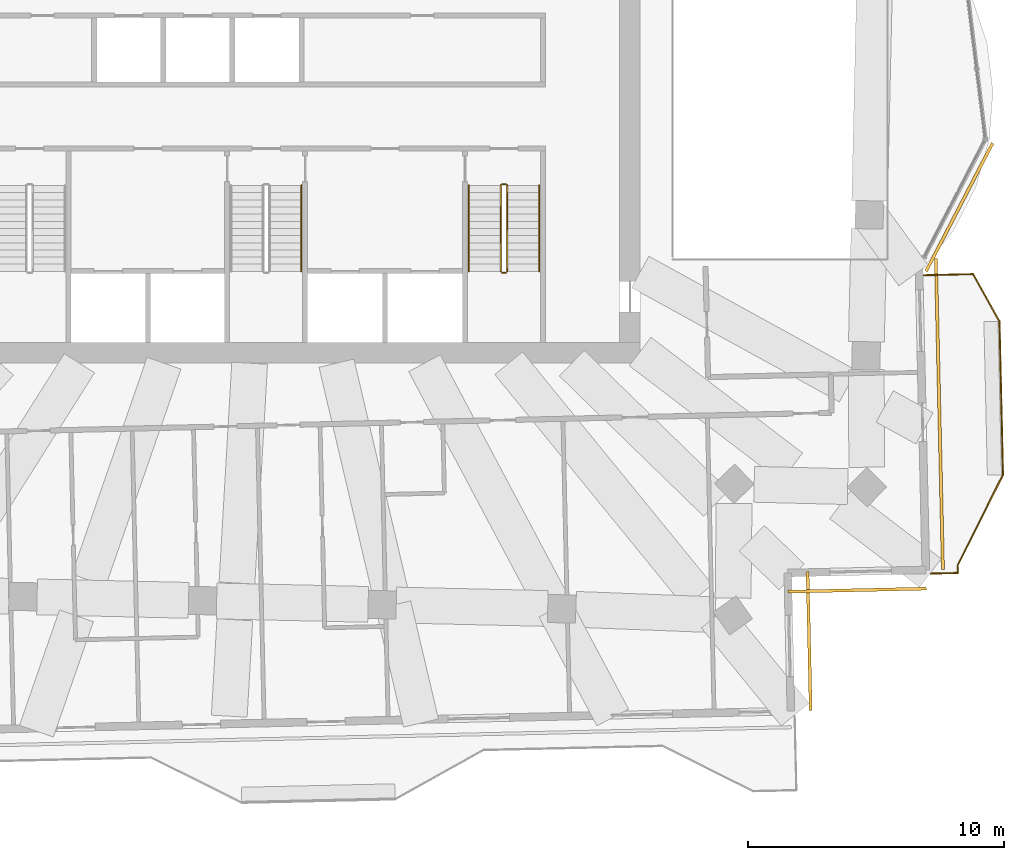
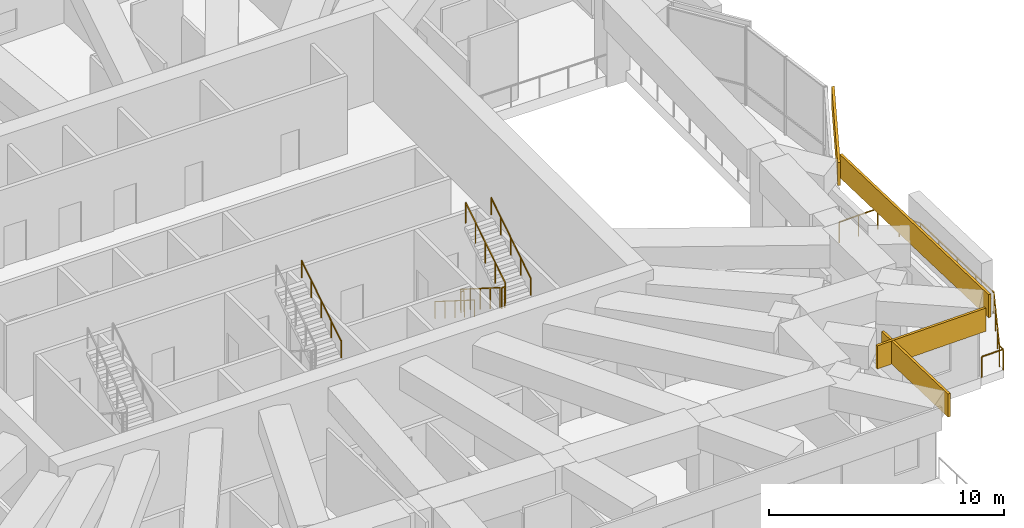
# One storey, part 17 of 19: 8 railings, 4 coverings.
"""IFC4 building model written with IfcOpenShell, lengths in metres."""

from ifc_helpers import new_model, si_unit, direction, frame, frame_2d, origin, origin_2d, place, context, subcontext, project, spatial, rectangle, circle, extrude, material, layer, layer_set, type_object, element, save


model = new_model("IFC4")

# Units and contexts
model_context = context("Model", 3, precision=1e-05, world=origin(), true_north=direction((0.0, 1.0)))
body_context = subcontext(model_context, "Body", "Model", "MODEL_VIEW")
ifc_project = project(units=[si_unit("LENGTHUNIT", "METRE"), si_unit("AREAUNIT", "SQUARE_METRE"), si_unit("VOLUMEUNIT", "CUBIC_METRE"), si_unit("PLANEANGLEUNIT", "RADIAN"), si_unit("MASSUNIT", "GRAM", prefix="KILO")], contexts=[model_context])

# Site, building, storey
site_placement = place(None, origin())
site = spatial("IfcSite", under=ifc_project, at=site_placement, CompositionType="ELEMENT")
building_placement = place(site_placement, origin())
building = spatial("IfcBuilding", under=site, at=building_placement, Name="Mangrove Gate Tower", CompositionType="ELEMENT")
storey_placement = place(building_placement, frame((0.0, 0.0, 226.5)))
storey = spatial("IfcBuildingStorey", under=building, at=storey_placement, Name="L57", CompositionType="ELEMENT", Elevation=226.5)

# Railings
ifc_material_1 = material(Name="Stainless steel grade 316 with laminated glass infill", Category="steel")
railing_type_1 = type_object("IfcRailingType", Name="Balcony guard 1100", PredefinedType="GUARDRAIL", material=ifc_material_1)
railing_1_placement = place(storey_placement, frame((25.964111328125, -19.8291015625, 0.0)))
element("IfcRailing", 1, at=railing_1_placement, inside=storey, type_object=railing_type_1, Name="GUARD L57 E1", PredefinedType="GUARDRAIL", context=body_context, shape_type="SweptSolid", body=[
    extrude(rectangle(XDim=0.048095703125, YDim=0.048095703125, at=origin_2d()), frame((0.0, 0.0, 1.076171875), z_axis=(0.999739569486, 0.022820894023, 0.0), x_axis=(-0.022820894023, 0.999739569486, 0.0)), (0.0, 0.0, 1.0), 1.05908203125),
    extrude(rectangle(XDim=0.048095703125, YDim=0.048095703125, at=origin_2d()), frame((1.058837890625, 0.024169921875, 1.076171875), z_axis=(-0.022776839769, 0.999740574134, 0.0), x_axis=(-0.999740574134, -0.022776839769, 0.0)), (0.0, 0.0, 1.0), 0.300048828125),
    extrude(rectangle(XDim=0.048095703125, YDim=0.048095703125, at=origin_2d()), frame((1.052001953125, 0.32421875, 1.076171875), z_axis=(0.447336926491, 0.894365514875, 0.0), x_axis=(-0.894365514875, 0.447336926491, 0.0)), (0.0, 0.0, 1.0), 3.958984375),
    extrude(rectangle(XDim=0.048095703125, YDim=0.048095703125, at=origin_2d()), frame((2.822998046875, 3.864990234375, 1.076171875), z_axis=(-0.022869302197, 0.999738463308, 0.0), x_axis=(-0.999738463308, -0.022869302197, 0.0)), (0.0, 0.0, 1.0), 5.99951171875),
    extrude(rectangle(XDim=0.048095703125, YDim=0.048095703125, at=origin_2d()), frame((2.685791015625, 9.863037109375, 1.076171875), z_axis=(-0.487098711433, 0.873346921515, 0.0), x_axis=(-0.873346921515, -0.487098711433, 0.0)), (0.0, 0.0, 1.0), 2.12060546875),
    extrude(rectangle(XDim=0.048095703125, YDim=0.048095703125, at=origin_2d()), frame((1.65283203125, 11.715087890625, 1.076171875), z_axis=(-0.999737613728, -0.02290641172, 0.0), x_axis=(0.02290641172, -0.999737613728, 0.0)), (0.0, 0.0, 1.0), 1.91845703125),
    extrude(rectangle(XDim=0.0419921875, YDim=0.0419921875, at=origin_2d()), origin(), (0.0, 0.0, 1.0), 1.052001953125),
    extrude(rectangle(XDim=0.0419921875, YDim=0.0419921875, at=origin_2d()), frame((1.058837890625, 0.024169921875, 0.0)), (0.0, 0.0, 1.0), 1.052001953125),
    extrude(rectangle(XDim=0.0419921875, YDim=0.0419921875, at=origin_2d()), frame((1.052001953125, 0.32421875, 0.0)), (0.0, 0.0, 1.0), 1.052001953125),
    extrude(rectangle(XDim=0.0419921875, YDim=0.0419921875, at=origin_2d()), frame((1.642333984375, 1.50439453125, 0.0)), (0.0, 0.0, 1.0), 1.052001953125),
    extrude(rectangle(XDim=0.0419921875, YDim=0.0419921875, at=origin_2d()), frame((2.232666015625, 2.684814453125, 0.0)), (0.0, 0.0, 1.0), 1.052001953125),
    extrude(rectangle(XDim=0.0419921875, YDim=0.0419921875, at=origin_2d()), frame((2.822998046875, 3.864990234375, 0.0)), (0.0, 0.0, 1.0), 1.052001953125),
    extrude(rectangle(XDim=0.0419921875, YDim=0.0419921875, at=origin_2d()), frame((2.78857421875, 5.364501953125, 0.0)), (0.0, 0.0, 1.0), 1.052001953125),
    extrude(rectangle(XDim=0.0419921875, YDim=0.0419921875, at=origin_2d()), frame((2.75439453125, 6.864013671875, 0.0)), (0.0, 0.0, 1.0), 1.052001953125),
    extrude(rectangle(XDim=0.0419921875, YDim=0.0419921875, at=origin_2d()), frame((2.72021484375, 8.363525390625, 0.0)), (0.0, 0.0, 1.0), 1.052001953125),
    extrude(rectangle(XDim=0.0419921875, YDim=0.0419921875, at=origin_2d()), frame((2.685791015625, 9.863037109375, 0.0)), (0.0, 0.0, 1.0), 1.052001953125),
    extrude(rectangle(XDim=0.0419921875, YDim=0.0419921875, at=origin_2d()), frame((2.16943359375, 10.7890625, 0.0)), (0.0, 0.0, 1.0), 1.052001953125),
    extrude(rectangle(XDim=0.0419921875, YDim=0.0419921875, at=origin_2d()), frame((1.65283203125, 11.715087890625, 0.0)), (0.0, 0.0, 1.0), 1.052001953125),
    extrude(rectangle(XDim=0.0419921875, YDim=0.0419921875, at=origin_2d()), frame((0.69384765625, 11.693115234375, 0.0)), (0.0, 0.0, 1.0), 1.052001953125),
    extrude(rectangle(XDim=0.0419921875, YDim=0.0419921875, at=origin_2d()), frame((-0.26513671875, 11.671142578125, 0.0)), (0.0, 0.0, 1.0), 1.052001953125),
])
ifc_material_2 = material(Name="Stainless steel 316", Category="steel")
railing_type_2 = type_object("IfcRailingType", Name="Core stair guard 1100", PredefinedType="GUARDRAIL", material=ifc_material_2)
railing_2_placement = place(storey_placement, frame((9.14990234375, -4.64990234375, 0.177001953125)))
element("IfcRailing", 2, at=railing_2_placement, inside=storey, type_object=railing_type_2, Name="L57 ST3 stair guard 1", PredefinedType="GUARDRAIL", context=body_context, shape_type="SweptSolid", body=[
    extrude(rectangle(XDim=0.048095703125, YDim=0.048095703125, at=origin_2d()), frame((0.0, 0.0, 1.076171875), z_axis=(0.0, -0.845389635667, 0.534150132366), x_axis=(1.0, 0.0, 0.0)), (0.0, 0.0, 1.0), 3.974609375),
    extrude(rectangle(XDim=0.0419921875, YDim=0.0419921875, at=origin_2d()), origin(), (0.0, 0.0, 1.0), 1.052001953125),
    extrude(rectangle(XDim=0.0419921875, YDim=0.0419921875, at=origin_2d()), frame((0.0, -0.840087890625, 0.53076171875)), (0.0, 0.0, 1.0), 1.052001953125),
    extrude(rectangle(XDim=0.0419921875, YDim=0.0419921875, at=origin_2d()), frame((0.0, -1.68017578125, 1.0615234375)), (0.0, 0.0, 1.0), 1.052001953125),
    extrude(rectangle(XDim=0.0419921875, YDim=0.0419921875, at=origin_2d()), frame((0.0, -2.52001953125, 1.59228515625)), (0.0, 0.0, 1.0), 1.052001953125),
    extrude(rectangle(XDim=0.0419921875, YDim=0.0419921875, at=origin_2d()), frame((0.0, -3.360107421875, 2.123046875)), (0.0, 0.0, 1.0), 1.052001953125),
])
railing_3_placement = place(storey_placement, frame((9.199951171875, -8.06005859375, 2.300048828125)))
element("IfcRailing", 3, at=railing_3_placement, inside=storey, type_object=railing_type_2, Name="L57 ST3 stair guard 2", PredefinedType="GUARDRAIL", context=body_context, shape_type="SweptSolid", body=[
    extrude(rectangle(XDim=0.048095703125, YDim=0.048095703125, at=origin_2d()), frame((0.0, 0.0, 1.076171875), z_axis=(1.0, 0.0, 0.0), x_axis=(0.0, 1.0, 0.0)), (0.0, 0.0, 1.0), 0.150146484375),
    extrude(rectangle(XDim=0.0419921875, YDim=0.0419921875, at=origin_2d()), origin(), (0.0, 0.0, 1.0), 1.052001953125),
    extrude(rectangle(XDim=0.0419921875, YDim=0.0419921875, at=origin_2d()), frame((0.150146484375, 0.0, 0.0)), (0.0, 0.0, 1.0), 1.052001953125),
])
railing_4_placement = place(storey_placement, frame((9.39990234375, -8.010009765625, 2.476806640625)))
element("IfcRailing", 4, at=railing_4_placement, inside=storey, type_object=railing_type_2, Name="L57 ST3 stair guard 3", PredefinedType="GUARDRAIL", context=body_context, shape_type="SweptSolid", body=[
    extrude(rectangle(XDim=0.048095703125, YDim=0.048095703125, at=origin_2d()), frame((0.0, 0.0, 1.076171875), z_axis=(0.0, 0.845361898145, 0.534194029511), x_axis=(-1.0, 0.0, 0.0)), (0.0, 0.0, 1.0), 3.974853515625),
    extrude(rectangle(XDim=0.0419921875, YDim=0.0419921875, at=origin_2d()), origin(), (0.0, 0.0, 1.0), 1.052001953125),
    extrude(rectangle(XDim=0.0419921875, YDim=0.0419921875, at=origin_2d()), frame((0.0, 0.840087890625, 0.53076171875)), (0.0, 0.0, 1.0), 1.052001953125),
    extrude(rectangle(XDim=0.0419921875, YDim=0.0419921875, at=origin_2d()), frame((0.0, 1.68017578125, 1.0615234375)), (0.0, 0.0, 1.0), 1.052001953125),
    extrude(rectangle(XDim=0.0419921875, YDim=0.0419921875, at=origin_2d()), frame((0.0, 2.52001953125, 1.592529296875)), (0.0, 0.0, 1.0), 1.052001953125),
    extrude(rectangle(XDim=0.0419921875, YDim=0.0419921875, at=origin_2d()), frame((0.0, 3.360107421875, 2.123291015625)), (0.0, 0.0, 1.0), 1.052001953125),
])
railing_5_placement = place(storey_placement, frame((9.199951171875, -4.60009765625, 0.0)))
element("IfcRailing", 5, at=railing_5_placement, inside=storey, type_object=railing_type_2, Name="L57 ST3 stair guard 4", PredefinedType="GUARDRAIL", context=body_context, shape_type="SweptSolid", body=[
    extrude(rectangle(XDim=0.048095703125, YDim=0.048095703125, at=origin_2d()), frame((0.0, 0.0, 1.076171875), z_axis=(1.0, 0.0, 0.0), x_axis=(0.0, 1.0, 0.0)), (0.0, 0.0, 1.0), 0.150146484375),
    extrude(rectangle(XDim=0.0419921875, YDim=0.0419921875, at=origin_2d()), origin(), (0.0, 0.0, 1.0), 1.052001953125),
    extrude(rectangle(XDim=0.0419921875, YDim=0.0419921875, at=origin_2d()), frame((0.150146484375, 0.0, 0.0)), (0.0, 0.0, 1.0), 1.052001953125),
])
ifc_material_3 = material(Name="Stainless steel 316", Category="steel")
railing_type_3 = type_object("IfcRailingType", Name="Core stair handrail 900", PredefinedType="HANDRAIL", material=ifc_material_3)
railing_6_placement = place(storey_placement, frame((1.35009765625, -8.010009765625, 2.476806640625)))
element("IfcRailing", 6, at=railing_6_placement, inside=storey, type_object=railing_type_3, Name="L57 ST2 stair handrail 2", PredefinedType="HANDRAIL", context=body_context, shape_type="SweptSolid", body=[
    extrude(circle(Radius=0.02392578125, at=origin_2d()), frame((0.0, 0.0, 0.8759765625), z_axis=(0.0, 0.845361898145, 0.534194029511), x_axis=(-1.0, 0.0, 0.0)), (0.0, 0.0, 1.0), 3.974853515625),
    extrude(circle(Radius=0.02099609375, at=origin_2d()), origin(), (0.0, 0.0, 1.0), 0.851806640625),
    extrude(circle(Radius=0.02099609375, at=origin_2d()), frame((0.0, 0.840087890625, 0.53076171875)), (0.0, 0.0, 1.0), 0.851806640625),
    extrude(circle(Radius=0.02099609375, at=origin_2d()), frame((0.0, 1.68017578125, 1.0615234375)), (0.0, 0.0, 1.0), 0.851806640625),
    extrude(circle(Radius=0.02099609375, at=origin_2d()), frame((0.0, 2.52001953125, 1.592529296875)), (0.0, 0.0, 1.0), 0.851806640625),
    extrude(circle(Radius=0.02099609375, at=origin_2d()), frame((0.0, 3.360107421875, 2.123291015625)), (0.0, 0.0, 1.0), 0.851806640625),
])
railing_7_placement = place(storey_placement, frame((7.89990234375, -4.64990234375, 0.177001953125)))
element("IfcRailing", 7, at=railing_7_placement, inside=storey, type_object=railing_type_3, Name="L57 ST3 stair handrail 1", PredefinedType="HANDRAIL", context=body_context, shape_type="SweptSolid", body=[
    extrude(circle(Radius=0.02392578125, at=origin_2d()), frame((0.0, 0.0, 0.8759765625), z_axis=(0.0, -0.845389635667, 0.534150132366), x_axis=(1.0, 0.0, 0.0)), (0.0, 0.0, 1.0), 3.974609375),
    extrude(circle(Radius=0.02099609375, at=origin_2d()), origin(), (0.0, 0.0, 1.0), 0.851806640625),
    extrude(circle(Radius=0.02099609375, at=origin_2d()), frame((0.0, -0.840087890625, 0.53076171875)), (0.0, 0.0, 1.0), 0.851806640625),
    extrude(circle(Radius=0.02099609375, at=origin_2d()), frame((0.0, -1.68017578125, 1.0615234375)), (0.0, 0.0, 1.0), 0.851806640625),
    extrude(circle(Radius=0.02099609375, at=origin_2d()), frame((0.0, -2.52001953125, 1.59228515625)), (0.0, 0.0, 1.0), 0.851806640625),
    extrude(circle(Radius=0.02099609375, at=origin_2d()), frame((0.0, -3.360107421875, 2.123046875)), (0.0, 0.0, 1.0), 0.851806640625),
])
railing_8_placement = place(storey_placement, frame((10.64990234375, -8.010009765625, 2.476806640625)))
element("IfcRailing", 8, at=railing_8_placement, inside=storey, type_object=railing_type_3, Name="L57 ST3 stair handrail 2", PredefinedType="HANDRAIL", context=body_context, shape_type="SweptSolid", body=[
    extrude(circle(Radius=0.02392578125, at=origin_2d()), frame((0.0, 0.0, 0.8759765625), z_axis=(0.0, 0.845361898145, 0.534194029511), x_axis=(-1.0, 0.0, 0.0)), (0.0, 0.0, 1.0), 3.974853515625),
    extrude(circle(Radius=0.02099609375, at=origin_2d()), origin(), (0.0, 0.0, 1.0), 0.851806640625),
    extrude(circle(Radius=0.02099609375, at=origin_2d()), frame((0.0, 0.840087890625, 0.53076171875)), (0.0, 0.0, 1.0), 0.851806640625),
    extrude(circle(Radius=0.02099609375, at=origin_2d()), frame((0.0, 1.68017578125, 1.0615234375)), (0.0, 0.0, 1.0), 0.851806640625),
    extrude(circle(Radius=0.02099609375, at=origin_2d()), frame((0.0, 2.52001953125, 1.592529296875)), (0.0, 0.0, 1.0), 0.851806640625),
    extrude(circle(Radius=0.02099609375, at=origin_2d()), frame((0.0, 3.360107421875, 2.123291015625)), (0.0, 0.0, 1.0), 0.851806640625),
])

# Coverings
ifc_material_4 = material(Name="Limestone", Category="masonry")
ifc_layer_1 = layer(ifc_material_4, 0.0400390625, Name="Limestone cladding")
ifc_material_5 = material(Name="Stainless steel anchors and cavity", Category="steel")
ifc_layer_2 = layer(ifc_material_5, 0.080078125, Name="Fixing cavity")
ifc_layer_set = layer_set([ifc_layer_1, ifc_layer_2], Name="Joint fascia cladding 120")
covering_type = type_object("IfcCoveringType", Name="Joint fascia cladding 120", PredefinedType="CLADDING", material=ifc_layer_set)
covering_1_placement = place(storey_placement, frame((26.43896484375, -19.6689453125, 2.85009765625), z_axis=(0.0, 0.0, 1.0), x_axis=(-0.02266076585, 0.999743211875, 0.0)))
element("IfcCovering", 9, at=covering_1_placement, inside=storey, type_object=covering_type, Name="STONE FASCIA L57 E0.1", PredefinedType="CLADDING", context=body_context, shape_type="SweptSolid", body=[
    extrude(rectangle(XDim=12.16357421875, YDim=0.1201171875, at=frame_2d((6.081787109375, 0.0))), origin(), (0.0, 0.0, 1.0), 1.199951171875),
])
covering_2_placement = place(storey_placement, frame((25.782958984375, -8.0029296875, 2.85009765625), z_axis=(0.0, 0.0, 1.0), x_axis=(0.460597603095, 0.887609062608, 0.0)))
element("IfcCovering", 10, at=covering_2_placement, inside=storey, type_object=covering_type, Name="STONE FASCIA L57 E1.L1", PredefinedType="CLADDING", context=body_context, shape_type="SweptSolid", body=[
    extrude(rectangle(XDim=5.640869140625, YDim=0.1201171875, at=frame_2d((2.8203125, 0.0))), origin(), (0.0, 0.0, 1.0), 1.199951171875),
])
covering_3_placement = place(storey_placement, frame((21.26806640625, -25.18701171875, 2.85009765625), z_axis=(0.0, 0.0, 1.0), x_axis=(-0.022645876352, 0.999743549259, 0.0)))
element("IfcCovering", 11, at=covering_3_placement, inside=storey, type_object=covering_type, Name="STONE FASCIA L57 E14.1", PredefinedType="CLADDING", context=body_context, shape_type="SweptSolid", body=[
    extrude(rectangle(XDim=5.43359375, YDim=0.1201171875, at=frame_2d((2.716796875, 0.0))), origin(), (0.0, 0.0, 1.0), 1.199951171875),
])
covering_4_placement = place(storey_placement, frame((20.387939453125, -20.535888671875, 2.85009765625), z_axis=(0.0, 0.0, 1.0), x_axis=(0.999745533033, 0.022558128916, 0.0)))
element("IfcCovering", 12, at=covering_4_placement, inside=storey, type_object=covering_type, Name="STONE FASCIA L57 S15.1", PredefinedType="CLADDING", context=body_context, shape_type="SweptSolid", body=[
    extrude(rectangle(XDim=5.400634765625, YDim=0.1201171875, at=frame_2d((2.7001953125, 0.0))), origin(), (0.0, 0.0, 1.0), 1.199951171875),
])

save(model, "model.ifc")
